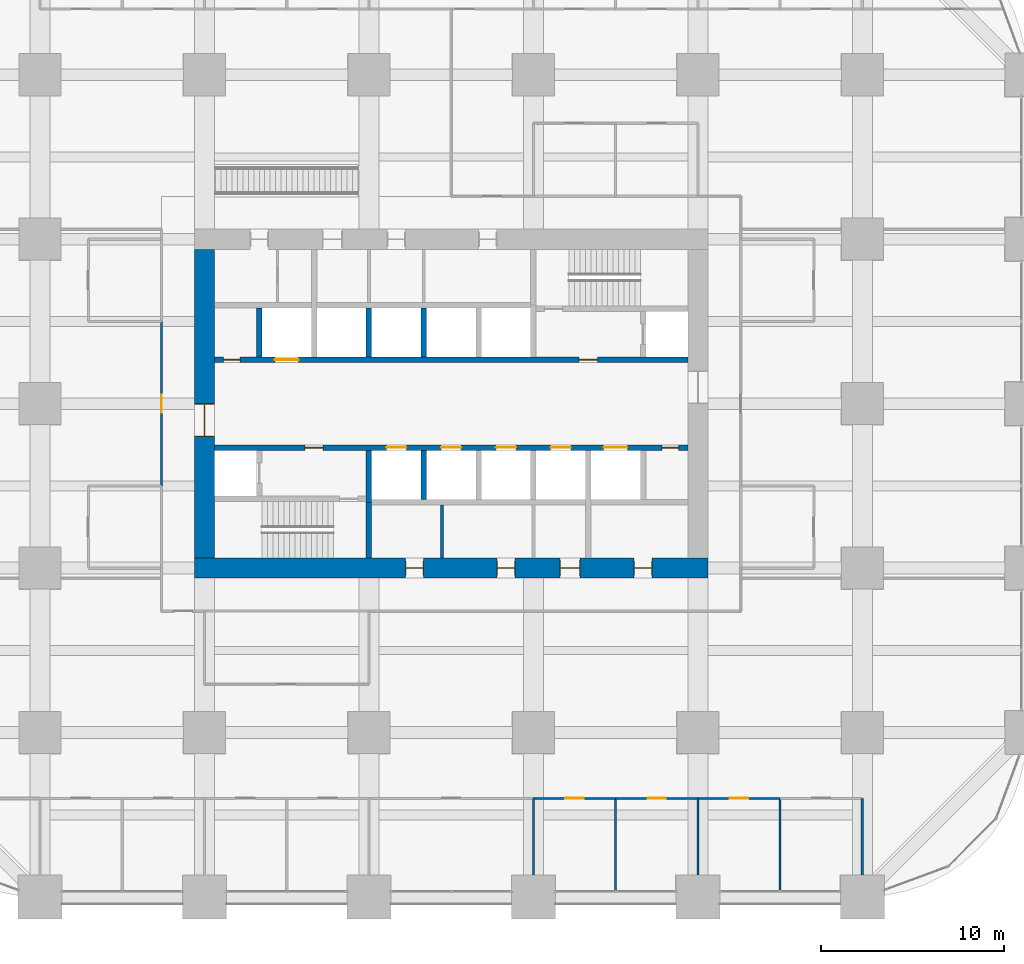
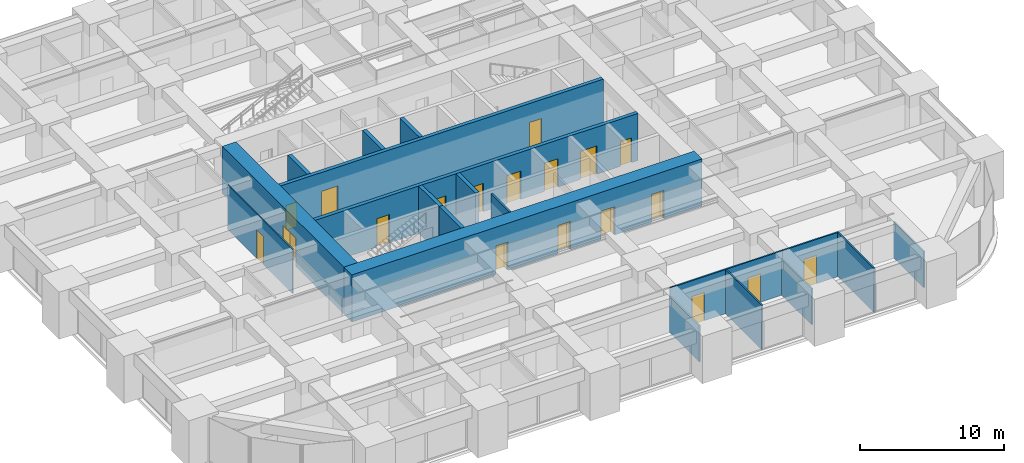
# One storey, part 40 of 45: 20 walls, 19 doors, 19 openings.
"""IFC4 building model written with IfcOpenShell, lengths in metres."""

from ifc_helpers import new_model, si_unit, direction, frame, frame_2d, origin, place, context, subcontext, project, spatial, rectangle, extrude, material, layer, layer_set, type_object, element, fill, save


model = new_model("IFC4")

# Units and contexts
model_context = context("Model", 3, precision=1e-05, world=origin(), true_north=direction((0.0, 1.0)))
body_context = subcontext(model_context, "Body", "Model", "MODEL_VIEW")
ifc_project = project(units=[si_unit("LENGTHUNIT", "METRE"), si_unit("AREAUNIT", "SQUARE_METRE"), si_unit("VOLUMEUNIT", "CUBIC_METRE"), si_unit("PLANEANGLEUNIT", "RADIAN"), si_unit("MASSUNIT", "GRAM", prefix="KILO")], contexts=[model_context])

# Site, building, storey
site_placement = place(None, origin())
site = spatial("IfcSite", under=ifc_project, at=site_placement, CompositionType="ELEMENT")
building_placement = place(site_placement, origin())
building = spatial("IfcBuilding", under=site, at=building_placement, Name="Zorevar Civic Tower", CompositionType="ELEMENT")
storey_placement = place(building_placement, frame((0.0, 0.0, 39.800048828125)))
storey = spatial("IfcBuildingStorey", under=building, at=storey_placement, Name="L09", CompositionType="ELEMENT", Elevation=39.800048828125)

# Wall, openings, doors
ifc_material_1 = material(Name="Concrete C50/60", Category="concrete")
ifc_layer_1 = layer(ifc_material_1, 1.10009765625)
ifc_layer_set_1 = layer_set([ifc_layer_1], Name="Core wall 1100")
wall_type_1 = type_object("IfcWallType", Name="Core wall 1100", PredefinedType="SHEAR", material=ifc_layer_set_1)
wall_1_placement = place(storey_placement, frame((17.449951171875, 18.0, 0.0), z_axis=(0.0, 0.0, 1.0), x_axis=(1.0, 0.0, 0.0)))
wall_1 = element("IfcWall", 1, at=wall_1_placement, inside=storey, type_object=wall_type_1, Name="Core wall S L09", PredefinedType="SHEAR", context=body_context, shape_type="SweptSolid", body=[
    extrude(rectangle(XDim=28.10009765625, YDim=1.10009765625, at=frame_2d((14.050048828125, 0.0))), origin(), (0.0, 0.0, 1.0), 4.0),
])
opening_1_placement = place(wall_1_placement, frame((11.550048828125, 0.0, 0.0)))
opening_1 = element("IfcOpeningElement", 2, at=opening_1_placement, cuts=wall_1, Name="Opening L09.03", PredefinedType="OPENING", context=body_context, shape_type="SweptSolid", body=[
    extrude(rectangle(XDim=1.0, YDim=2.39990234375, at=frame_2d((0.5, 1.199951171875))), frame((0.0, 0.56005859375, 0.0), z_axis=(0.0, -1.0, 0.0), x_axis=(1.0, 0.0, 0.0)), (0.0, 0.0, 1.0), 1.1201171875),
])
opening_2_placement = place(wall_1_placement, frame((16.550048828125, 0.0, 0.0)))
opening_2 = element("IfcOpeningElement", 3, at=opening_2_placement, cuts=wall_1, Name="Opening L09.04", PredefinedType="OPENING", context=body_context, shape_type="SweptSolid", body=[
    extrude(rectangle(XDim=1.0, YDim=2.39990234375, at=frame_2d((0.5, 1.199951171875))), frame((0.0, 0.56005859375, 0.0), z_axis=(0.0, -1.0, 0.0), x_axis=(1.0, 0.0, 0.0)), (0.0, 0.0, 1.0), 1.1201171875),
])
opening_3_placement = place(wall_1_placement, frame((20.0, 0.0, 0.0)))
opening_3 = element("IfcOpeningElement", 4, at=opening_3_placement, cuts=wall_1, Name="Opening L09.05", PredefinedType="OPENING", context=body_context, shape_type="SweptSolid", body=[
    extrude(rectangle(XDim=1.10009765625, YDim=2.39990234375, at=frame_2d((0.550048828125, 1.199951171875))), frame((0.0, 0.56005859375, 0.0), z_axis=(0.0, -1.0, 0.0), x_axis=(1.0, 0.0, 0.0)), (0.0, 0.0, 1.0), 1.1201171875),
])
opening_4_placement = place(wall_1_placement, frame((24.050048828125, 0.0, 0.0)))
opening_4 = element("IfcOpeningElement", 5, at=opening_4_placement, cuts=wall_1, Name="Opening L09.06", PredefinedType="OPENING", context=body_context, shape_type="SweptSolid", body=[
    extrude(rectangle(XDim=1.0, YDim=2.39990234375, at=frame_2d((0.5, 1.199951171875))), frame((0.0, 0.56005859375, 0.0), z_axis=(0.0, -1.0, 0.0), x_axis=(1.0, 0.0, 0.0)), (0.0, 0.0, 1.0), 1.1201171875),
])
ifc_material_2 = material(Name="Timber door set", Category="wood")
door_type_1 = type_object("IfcDoorType", Name="Door D1 1000x2400", OperationType="SINGLE_SWING_LEFT", PredefinedType="DOOR", material=ifc_material_2)
door_1_placement = place(opening_1_placement, origin())
door_1 = element("IfcDoor", 6, at=door_1_placement, inside=storey, type_object=door_type_1, Name="Door L09 02", OperationType="SINGLE_SWING_RIGHT", OverallHeight=2.39990234375, OverallWidth=1.0, PredefinedType="DOOR", context=body_context, shape_type="SweptSolid", body=[
    extrude(rectangle(XDim=1.0, YDim=2.39990234375, at=frame_2d((0.5, 1.199951171875))), frame((0.0, 0.02490234375, 0.0), z_axis=(0.0, -1.0, 0.0), x_axis=(1.0, 0.0, 0.0)), (0.0, 0.0, 1.0), 0.050048828125),
    extrude(rectangle(XDim=0.04, YDim=2.39990234375, at=frame_2d((0.02001953125, 1.199951171875))), frame((0.0, 0.39990234375, 0.0), z_axis=(0.0, -1.0, 0.0), x_axis=(1.0, 0.0, 0.0)), (0.0, 0.0, 1.0), 0.800048828125),
    extrude(rectangle(XDim=0.04, YDim=2.39990234375, at=frame_2d((0.97998046875, 1.199951171875))), frame((0.0, 0.39990234375, 0.0), z_axis=(0.0, -1.0, 0.0), x_axis=(1.0, 0.0, 0.0)), (0.0, 0.0, 1.0), 0.800048828125),
    extrude(rectangle(XDim=1.0, YDim=0.04, at=frame_2d((0.5, 2.3798828125))), frame((0.0, 0.39990234375, 0.0), z_axis=(0.0, -1.0, 0.0), x_axis=(1.0, 0.0, 0.0)), (0.0, 0.0, 1.0), 0.800048828125),
])
fill(opening_1, door_1)
door_2_placement = place(opening_2_placement, origin())
door_2 = element("IfcDoor", 7, at=door_2_placement, inside=storey, type_object=door_type_1, Name="Door L09 03", OperationType="SINGLE_SWING_LEFT", OverallHeight=2.39990234375, OverallWidth=1.0, PredefinedType="DOOR", context=body_context, shape_type="SweptSolid", body=[
    extrude(rectangle(XDim=1.0, YDim=2.39990234375, at=frame_2d((0.5, 1.199951171875))), frame((0.0, 0.02490234375, 0.0), z_axis=(0.0, -1.0, 0.0), x_axis=(1.0, 0.0, 0.0)), (0.0, 0.0, 1.0), 0.050048828125),
    extrude(rectangle(XDim=0.04, YDim=2.39990234375, at=frame_2d((0.02001953125, 1.199951171875))), frame((0.0, 0.39990234375, 0.0), z_axis=(0.0, -1.0, 0.0), x_axis=(1.0, 0.0, 0.0)), (0.0, 0.0, 1.0), 0.800048828125),
    extrude(rectangle(XDim=0.04, YDim=2.39990234375, at=frame_2d((0.97998046875, 1.199951171875))), frame((0.0, 0.39990234375, 0.0), z_axis=(0.0, -1.0, 0.0), x_axis=(1.0, 0.0, 0.0)), (0.0, 0.0, 1.0), 0.800048828125),
    extrude(rectangle(XDim=1.0, YDim=0.04, at=frame_2d((0.5, 2.3798828125))), frame((0.0, 0.39990234375, 0.0), z_axis=(0.0, -1.0, 0.0), x_axis=(1.0, 0.0, 0.0)), (0.0, 0.0, 1.0), 0.800048828125),
])
fill(opening_2, door_2)
door_3_placement = place(opening_4_placement, origin())
door_3 = element("IfcDoor", 8, at=door_3_placement, inside=storey, type_object=door_type_1, Name="Door L09 05", OperationType="SINGLE_SWING_LEFT", OverallHeight=2.39990234375, OverallWidth=1.0, PredefinedType="DOOR", context=body_context, shape_type="SweptSolid", body=[
    extrude(rectangle(XDim=1.0, YDim=2.39990234375, at=frame_2d((0.5, 1.199951171875))), frame((0.0, 0.02490234375, 0.0), z_axis=(0.0, -1.0, 0.0), x_axis=(1.0, 0.0, 0.0)), (0.0, 0.0, 1.0), 0.050048828125),
    extrude(rectangle(XDim=0.04, YDim=2.39990234375, at=frame_2d((0.02001953125, 1.199951171875))), frame((0.0, 0.39990234375, 0.0), z_axis=(0.0, -1.0, 0.0), x_axis=(1.0, 0.0, 0.0)), (0.0, 0.0, 1.0), 0.800048828125),
    extrude(rectangle(XDim=0.04, YDim=2.39990234375, at=frame_2d((0.97998046875, 1.199951171875))), frame((0.0, 0.39990234375, 0.0), z_axis=(0.0, -1.0, 0.0), x_axis=(1.0, 0.0, 0.0)), (0.0, 0.0, 1.0), 0.800048828125),
    extrude(rectangle(XDim=1.0, YDim=0.04, at=frame_2d((0.5, 2.3798828125))), frame((0.0, 0.39990234375, 0.0), z_axis=(0.0, -1.0, 0.0), x_axis=(1.0, 0.0, 0.0)), (0.0, 0.0, 1.0), 0.800048828125),
])
fill(opening_4, door_3)
ifc_material_3 = material(Name="Timber door set", Category="wood")
door_type_2 = type_object("IfcDoorType", Name="Door D5 1100x2400", OperationType="SINGLE_SWING_LEFT", PredefinedType="DOOR", material=ifc_material_3)
door_4_placement = place(opening_3_placement, origin())
door_4 = element("IfcDoor", 9, at=door_4_placement, inside=storey, type_object=door_type_2, Name="Door L09 04", OperationType="SINGLE_SWING_LEFT", OverallHeight=2.39990234375, OverallWidth=1.10009765625, PredefinedType="DOOR", context=body_context, shape_type="SweptSolid", body=[
    extrude(rectangle(XDim=1.10009765625, YDim=2.39990234375, at=frame_2d((0.550048828125, 1.199951171875))), frame((0.0, 0.02490234375, 0.0), z_axis=(0.0, -1.0, 0.0), x_axis=(1.0, 0.0, 0.0)), (0.0, 0.0, 1.0), 0.050048828125),
    extrude(rectangle(XDim=0.04, YDim=2.39990234375, at=frame_2d((0.02001953125, 1.199951171875))), frame((0.0, 0.43994140625, 0.0), z_axis=(0.0, -1.0, 0.0), x_axis=(1.0, 0.0, 0.0)), (0.0, 0.0, 1.0), 0.880126953125),
    extrude(rectangle(XDim=0.04, YDim=2.39990234375, at=frame_2d((1.080078125, 1.199951171875))), frame((0.0, 0.43994140625, 0.0), z_axis=(0.0, -1.0, 0.0), x_axis=(1.0, 0.0, 0.0)), (0.0, 0.0, 1.0), 0.880126953125),
    extrude(rectangle(XDim=1.10009765625, YDim=0.04, at=frame_2d((0.550048828125, 2.3798828125))), frame((0.0, 0.43994140625, 0.0), z_axis=(0.0, -1.0, 0.0), x_axis=(1.0, 0.0, 0.0)), (0.0, 0.0, 1.0), 0.880126953125),
])
fill(opening_3, door_4)

# Wall, opening, door
wall_2_placement = place(storey_placement, frame((18.0, 35.449951171875, 0.0), z_axis=(0.0, 0.0, 1.0), x_axis=(0.0, -1.0, 0.0)))
wall_2 = element("IfcWall", 10, at=wall_2_placement, inside=storey, type_object=wall_type_1, Name="Core wall W L09", PredefinedType="SHEAR", context=body_context, shape_type="SweptSolid", body=[
    extrude(rectangle(XDim=16.89990234375, YDim=1.10009765625, at=frame_2d((8.449951171875, 0.0))), origin(), (0.0, 0.0, 1.0), 4.0),
])
opening_5_placement = place(wall_2_placement, frame((8.449951171875, 0.0, 0.0)))
opening_5 = element("IfcOpeningElement", 11, at=opening_5_placement, cuts=wall_2, Name="Opening L09.01", PredefinedType="OPENING", context=body_context, shape_type="SweptSolid", body=[
    extrude(rectangle(XDim=1.800048828125, YDim=2.39990234375, at=frame_2d((0.89990234375, 1.199951171875))), frame((0.0, 0.56005859375, 0.0), z_axis=(0.0, -1.0, 0.0), x_axis=(1.0, 0.0, 0.0)), (0.0, 0.0, 1.0), 1.1201171875),
])
ifc_material_4 = material(Name="Steel door set", Category="steel")
door_type_3 = type_object("IfcDoorType", Name="Fire door FD2 1800x2400", OperationType="DOUBLE_DOOR_DOUBLE_SWING", PredefinedType="DOOR", material=ifc_material_4)
door_5_placement = place(opening_5_placement, origin())
door_5 = element("IfcDoor", 12, at=door_5_placement, inside=storey, type_object=door_type_3, Name="Door L09 00", OperationType="DOUBLE_DOOR_DOUBLE_SWING", OverallHeight=2.39990234375, OverallWidth=1.800048828125, PredefinedType="DOOR", context=body_context, shape_type="SweptSolid", body=[
    extrude(rectangle(XDim=1.800048828125, YDim=2.39990234375, at=frame_2d((0.89990234375, 1.199951171875))), frame((0.0, 0.030029296875, 0.0), z_axis=(0.0, -1.0, 0.0), x_axis=(1.0, 0.0, 0.0)), (0.0, 0.0, 1.0), 0.06005859375),
    extrude(rectangle(XDim=0.04, YDim=2.39990234375, at=frame_2d((0.02001953125, 1.199951171875))), frame((0.0, 0.5498046875, 0.0), z_axis=(0.0, -1.0, 0.0), x_axis=(1.0, 0.0, 0.0)), (0.0, 0.0, 1.0), 1.099609375),
    extrude(rectangle(XDim=0.04, YDim=2.39990234375, at=frame_2d((1.780029296875, 1.199951171875))), frame((0.0, 0.5498046875, 0.0), z_axis=(0.0, -1.0, 0.0), x_axis=(1.0, 0.0, 0.0)), (0.0, 0.0, 1.0), 1.099609375),
    extrude(rectangle(XDim=1.800048828125, YDim=0.04, at=frame_2d((0.89990234375, 2.3798828125))), frame((0.0, 0.5498046875, 0.0), z_axis=(0.0, -1.0, 0.0), x_axis=(1.0, 0.0, 0.0)), (0.0, 0.0, 1.0), 1.099609375),
])
fill(opening_5, door_5)

ifc_material_5 = material(Name="Laminated glass in black aluminium frame", Category="aluminium")
ifc_layer_2 = layer(ifc_material_5, 0.10009765625)
ifc_layer_set_2 = layer_set([ifc_layer_2], Name="Glazed partition 100")
wall_type_2 = type_object("IfcWallType", Name="Glazed partition 100", PredefinedType="PARTITIONING", material=ifc_layer_set_2)
wall_3_placement = place(storey_placement, frame((15.64990234375, 22.5, 0.0), z_axis=(0.0, 0.0, 1.0), x_axis=(0.0, 1.0, 0.0)))
wall_3 = element("IfcWall", 13, at=wall_3_placement, inside=storey, type_object=wall_type_2, Name="Glazed partition 100 L09", PredefinedType="PARTITIONING", context=body_context, shape_type="SweptSolid", body=[
    extrude(rectangle(XDim=9.0, YDim=0.10009765625, at=frame_2d((4.5, 0.0))), origin(), (0.0, 0.0, 1.0), 3.75),
])
opening_6_placement = place(wall_3_placement, frame((4.0, 0.0, 0.0)))
opening_6 = element("IfcOpeningElement", 14, at=opening_6_placement, cuts=wall_3, Name="Opening L09.44", PredefinedType="OPENING", context=body_context, shape_type="SweptSolid", body=[
    extrude(rectangle(XDim=1.0, YDim=2.39990234375, at=frame_2d((0.5, 1.199951171875))), frame((0.0, 0.06005859375, 0.0), z_axis=(0.0, -1.0, 0.0), x_axis=(1.0, 0.0, 0.0)), (0.0, 0.0, 1.0), 0.1201171875),
])
ifc_material_6 = material(Name="Timber door set", Category="wood")
door_type_4 = type_object("IfcDoorType", Name="Glazed door GD1 1000x2400", OperationType="SINGLE_SWING_LEFT", PredefinedType="DOOR", material=ifc_material_6)
door_6_placement = place(opening_6_placement, origin())
door_6 = element("IfcDoor", 15, at=door_6_placement, inside=storey, type_object=door_type_4, Name="Door L09 D1", OperationType="SINGLE_SWING_RIGHT", OverallHeight=2.39990234375, OverallWidth=1.0, PredefinedType="DOOR", context=body_context, shape_type="SweptSolid", body=[
    extrude(rectangle(XDim=1.0, YDim=2.39990234375, at=frame_2d((0.5, 1.199951171875))), frame((0.0, 0.02001953125, 0.0), z_axis=(0.0, -1.0, 0.0), x_axis=(1.0, 0.0, 0.0)), (0.0, 0.0, 1.0), 0.0400390625),
])
fill(opening_6, door_6)

# Wall
ifc_material_7 = material(Name="Concrete C40/50", Category="concrete")
ifc_layer_3 = layer(ifc_material_7, 0.300048828125)
ifc_layer_set_3 = layer_set([ifc_layer_3], Name="Inner core wall 300")
wall_type_3 = type_object("IfcWallType", Name="Inner core wall 300", PredefinedType="SHEAR", material=ifc_layer_set_3)
wall_4_placement = place(storey_placement, frame((27.0, 18.550048828125, 0.0), z_axis=(0.0, 0.0, 1.0), x_axis=(0.0, 1.0, 0.0)))
element("IfcWall", 16, at=wall_4_placement, inside=storey, type_object=wall_type_3, Name="Inner core wall S01 L09", PredefinedType="SHEAR", context=body_context, shape_type="SweptSolid", body=[
    extrude(rectangle(XDim=3.050048828125, YDim=0.300048828125, at=frame_2d((1.52490234375, 0.0))), origin(), (0.0, 0.0, 1.0), 4.0),
])

# Wall, openings, doors
wall_5_placement = place(storey_placement, frame((18.550048828125, 24.60009765625, 0.0), z_axis=(0.0, 0.0, 1.0), x_axis=(1.0, 0.0, 0.0)))
wall_5 = element("IfcWall", 17, at=wall_5_placement, inside=storey, type_object=wall_type_3, Name="Inner core wall S03 L09", PredefinedType="SHEAR", context=body_context, shape_type="SweptSolid", body=[
    extrude(rectangle(XDim=25.89990234375, YDim=0.300048828125, at=frame_2d((12.949951171875, 0.0))), origin(), (0.0, 0.0, 1.0), 4.0),
])
opening_7_placement = place(wall_5_placement, frame((4.949951171875, 0.0, 0.0)))
opening_7 = element("IfcOpeningElement", 18, at=opening_7_placement, cuts=wall_5, Name="Opening L09.13", PredefinedType="OPENING", context=body_context, shape_type="SweptSolid", body=[
    extrude(rectangle(XDim=1.0, YDim=2.39990234375, at=frame_2d((0.5, 1.199951171875))), frame((0.0, 0.159912109375, 0.0), z_axis=(0.0, -1.0, 0.0), x_axis=(1.0, 0.0, 0.0)), (0.0, 0.0, 1.0), 0.320068359375),
])
opening_8_placement = place(wall_5_placement, frame((24.5, 0.0, 0.0)))
opening_8 = element("IfcOpeningElement", 19, at=opening_8_placement, cuts=wall_5, Name="Opening L09.15", PredefinedType="OPENING", context=body_context, shape_type="SweptSolid", body=[
    extrude(rectangle(XDim=0.89990234375, YDim=2.10009765625, at=frame_2d((0.449951171875, 1.050048828125))), frame((0.0, 0.159912109375, 0.0), z_axis=(0.0, -1.0, 0.0), x_axis=(1.0, 0.0, 0.0)), (0.0, 0.0, 1.0), 0.320068359375),
])
opening_9_placement = place(wall_5_placement, frame((9.39990234375, 0.0, 0.0)))
opening_9 = element("IfcOpeningElement", 20, at=opening_9_placement, cuts=wall_5, Name="Opening L09.LP1", PredefinedType="OPENING", context=body_context, shape_type="SweptSolid", body=[
    extrude(rectangle(XDim=1.10009765625, YDim=2.39990234375, at=frame_2d((0.550048828125, 1.199951171875))), frame((0.0, 0.159912109375, 0.0), z_axis=(0.0, -1.0, 0.0), x_axis=(1.0, 0.0, 0.0)), (0.0, 0.0, 1.0), 0.320068359375),
])
opening_10_placement = place(wall_5_placement, frame((12.39990234375, 0.0, 0.0)))
opening_10 = element("IfcOpeningElement", 21, at=opening_10_placement, cuts=wall_5, Name="Opening L09.LP2", PredefinedType="OPENING", context=body_context, shape_type="SweptSolid", body=[
    extrude(rectangle(XDim=1.10009765625, YDim=2.39990234375, at=frame_2d((0.550048828125, 1.199951171875))), frame((0.0, 0.159912109375, 0.0), z_axis=(0.0, -1.0, 0.0), x_axis=(1.0, 0.0, 0.0)), (0.0, 0.0, 1.0), 0.320068359375),
])
opening_11_placement = place(wall_5_placement, frame((15.39990234375, 0.0, 0.0)))
opening_11 = element("IfcOpeningElement", 22, at=opening_11_placement, cuts=wall_5, Name="Opening L09.LP3", PredefinedType="OPENING", context=body_context, shape_type="SweptSolid", body=[
    extrude(rectangle(XDim=1.10009765625, YDim=2.39990234375, at=frame_2d((0.550048828125, 1.199951171875))), frame((0.0, 0.159912109375, 0.0), z_axis=(0.0, -1.0, 0.0), x_axis=(1.0, 0.0, 0.0)), (0.0, 0.0, 1.0), 0.320068359375),
])
opening_12_placement = place(wall_5_placement, frame((18.39990234375, 0.0, 0.0)))
opening_12 = element("IfcOpeningElement", 23, at=opening_12_placement, cuts=wall_5, Name="Opening L09.LP4", PredefinedType="OPENING", context=body_context, shape_type="SweptSolid", body=[
    extrude(rectangle(XDim=1.10009765625, YDim=2.39990234375, at=frame_2d((0.550048828125, 1.199951171875))), frame((0.0, 0.159912109375, 0.0), z_axis=(0.0, -1.0, 0.0), x_axis=(1.0, 0.0, 0.0)), (0.0, 0.0, 1.0), 0.320068359375),
])
opening_13_placement = place(wall_5_placement, frame((21.300048828125, 0.0, 0.0)))
opening_13 = element("IfcOpeningElement", 24, at=opening_13_placement, cuts=wall_5, Name="Opening L09.SL1", PredefinedType="OPENING", context=body_context, shape_type="SweptSolid", body=[
    extrude(rectangle(XDim=1.300048828125, YDim=2.39990234375, at=frame_2d((0.64990234375, 1.199951171875))), frame((0.0, 0.159912109375, 0.0), z_axis=(0.0, -1.0, 0.0), x_axis=(1.0, 0.0, 0.0)), (0.0, 0.0, 1.0), 0.320068359375),
])
ifc_material_8 = material(Name="Steel door set", Category="steel")
door_type_5 = type_object("IfcDoorType", Name="Fire door FD1 1000x2400", OperationType="SINGLE_SWING_LEFT", PredefinedType="DOOR", material=ifc_material_8)
door_7_placement = place(opening_7_placement, origin())
door_7 = element("IfcDoor", 25, at=door_7_placement, inside=storey, type_object=door_type_5, Name="Door L09 12", OperationType="SINGLE_SWING_RIGHT", OverallHeight=2.39990234375, OverallWidth=1.0, PredefinedType="DOOR", context=body_context, shape_type="SweptSolid", body=[
    extrude(rectangle(XDim=1.0, YDim=2.39990234375, at=frame_2d((0.5, 1.199951171875))), frame((0.0, 0.030029296875, 0.0), z_axis=(0.0, -1.0, 0.0), x_axis=(1.0, 0.0, 0.0)), (0.0, 0.0, 1.0), 0.06005859375),
])
fill(opening_7, door_7)
ifc_material_9 = material(Name="Steel door set", Category="steel")
door_type_6 = type_object("IfcDoorType", Name="Landing door LD1 1100x2400", OperationType="DOUBLE_DOOR_SLIDING", PredefinedType="DOOR", material=ifc_material_9)
door_8_placement = place(opening_9_placement, origin())
door_8 = element("IfcDoor", 26, at=door_8_placement, inside=storey, type_object=door_type_6, Name="Landing door LP1 L09", OperationType="DOUBLE_DOOR_SLIDING", OverallHeight=2.39990234375, OverallWidth=1.10009765625, PredefinedType="DOOR", context=body_context, shape_type="SweptSolid", body=[
    extrude(rectangle(XDim=1.10009765625, YDim=2.39990234375, at=frame_2d((0.550048828125, 1.199951171875))), frame((0.0, 0.02001953125, 0.0), z_axis=(0.0, -1.0, 0.0), x_axis=(1.0, 0.0, 0.0)), (0.0, 0.0, 1.0), 0.0400390625),
])
fill(opening_9, door_8)
door_9_placement = place(opening_10_placement, origin())
door_9 = element("IfcDoor", 27, at=door_9_placement, inside=storey, type_object=door_type_6, Name="Landing door LP2 L09", OperationType="DOUBLE_DOOR_SLIDING", OverallHeight=2.39990234375, OverallWidth=1.10009765625, PredefinedType="DOOR", context=body_context, shape_type="SweptSolid", body=[
    extrude(rectangle(XDim=1.10009765625, YDim=2.39990234375, at=frame_2d((0.550048828125, 1.199951171875))), frame((0.0, 0.02001953125, 0.0), z_axis=(0.0, -1.0, 0.0), x_axis=(1.0, 0.0, 0.0)), (0.0, 0.0, 1.0), 0.0400390625),
])
fill(opening_10, door_9)
door_10_placement = place(opening_11_placement, origin())
door_10 = element("IfcDoor", 28, at=door_10_placement, inside=storey, type_object=door_type_6, Name="Landing door LP3 L09", OperationType="DOUBLE_DOOR_SLIDING", OverallHeight=2.39990234375, OverallWidth=1.10009765625, PredefinedType="DOOR", context=body_context, shape_type="SweptSolid", body=[
    extrude(rectangle(XDim=1.10009765625, YDim=2.39990234375, at=frame_2d((0.550048828125, 1.199951171875))), frame((0.0, 0.02001953125, 0.0), z_axis=(0.0, -1.0, 0.0), x_axis=(1.0, 0.0, 0.0)), (0.0, 0.0, 1.0), 0.0400390625),
])
fill(opening_11, door_10)
door_11_placement = place(opening_12_placement, origin())
door_11 = element("IfcDoor", 29, at=door_11_placement, inside=storey, type_object=door_type_6, Name="Landing door LP4 L09", OperationType="DOUBLE_DOOR_SLIDING", OverallHeight=2.39990234375, OverallWidth=1.10009765625, PredefinedType="DOOR", context=body_context, shape_type="SweptSolid", body=[
    extrude(rectangle(XDim=1.10009765625, YDim=2.39990234375, at=frame_2d((0.550048828125, 1.199951171875))), frame((0.0, 0.02001953125, 0.0), z_axis=(0.0, -1.0, 0.0), x_axis=(1.0, 0.0, 0.0)), (0.0, 0.0, 1.0), 0.0400390625),
])
fill(opening_12, door_11)
ifc_material_10 = material(Name="Steel door set", Category="steel")
door_type_7 = type_object("IfcDoorType", Name="Landing door LD2 1300x2400", OperationType="DOUBLE_DOOR_SLIDING", PredefinedType="DOOR", material=ifc_material_10)
door_12_placement = place(opening_13_placement, origin())
door_12 = element("IfcDoor", 30, at=door_12_placement, inside=storey, type_object=door_type_7, Name="Landing door SL1 L09", OperationType="DOUBLE_DOOR_SLIDING", OverallHeight=2.39990234375, OverallWidth=1.300048828125, PredefinedType="DOOR", context=body_context, shape_type="SweptSolid", body=[
    extrude(rectangle(XDim=1.300048828125, YDim=2.39990234375, at=frame_2d((0.64990234375, 1.199951171875))), frame((0.0, 0.02001953125, 0.0), z_axis=(0.0, -1.0, 0.0), x_axis=(1.0, 0.0, 0.0)), (0.0, 0.0, 1.0), 0.0400390625),
])
fill(opening_13, door_12)
ifc_material_11 = material(Name="Steel door set", Category="steel")
door_type_8 = type_object("IfcDoorType", Name="Riser door RD1 900x2100", OperationType="SINGLE_SWING_LEFT", PredefinedType="DOOR", material=ifc_material_11)
door_13_placement = place(opening_8_placement, origin())
door_13 = element("IfcDoor", 31, at=door_13_placement, inside=storey, type_object=door_type_8, Name="Door L09 14", OperationType="SINGLE_SWING_RIGHT", OverallHeight=2.10009765625, OverallWidth=0.89990234375, PredefinedType="DOOR", context=body_context, shape_type="SweptSolid", body=[
    extrude(rectangle(XDim=0.89990234375, YDim=2.10009765625, at=frame_2d((0.449951171875, 1.050048828125))), frame((0.0, 0.030029296875, 0.0), z_axis=(0.0, -1.0, 0.0), x_axis=(1.0, 0.0, 0.0)), (0.0, 0.0, 1.0), 0.06005859375),
])
fill(opening_8, door_13)

wall_6_placement = place(storey_placement, frame((18.550048828125, 29.39990234375, 0.0), z_axis=(0.0, 0.0, 1.0), x_axis=(1.0, 0.0, 0.0)))
wall_6 = element("IfcWall", 32, at=wall_6_placement, inside=storey, type_object=wall_type_3, Name="Inner core wall N03 L09", PredefinedType="SHEAR", context=body_context, shape_type="SweptSolid", body=[
    extrude(rectangle(XDim=25.89990234375, YDim=0.300048828125, at=frame_2d((12.949951171875, 0.0))), origin(), (0.0, 0.0, 1.0), 4.0),
])
opening_14_placement = place(wall_6_placement, frame((19.949951171875, 0.0, 0.0)))
opening_14 = element("IfcOpeningElement", 33, at=opening_14_placement, cuts=wall_6, Name="Opening L09.14", PredefinedType="OPENING", context=body_context, shape_type="SweptSolid", body=[
    extrude(rectangle(XDim=1.0, YDim=2.39990234375, at=frame_2d((0.5, 1.199951171875))), frame((0.0, 0.159912109375, 0.0), z_axis=(0.0, -1.0, 0.0), x_axis=(1.0, 0.0, 0.0)), (0.0, 0.0, 1.0), 0.320068359375),
])
opening_15_placement = place(wall_6_placement, frame((0.5, 0.0, 0.0)))
opening_15 = element("IfcOpeningElement", 34, at=opening_15_placement, cuts=wall_6, Name="Opening L09.16", PredefinedType="OPENING", context=body_context, shape_type="SweptSolid", body=[
    extrude(rectangle(XDim=0.89990234375, YDim=2.10009765625, at=frame_2d((0.449951171875, 1.050048828125))), frame((0.0, 0.159912109375, 0.0), z_axis=(0.0, -1.0, 0.0), x_axis=(1.0, 0.0, 0.0)), (0.0, 0.0, 1.0), 0.320068359375),
])
opening_16_placement = place(wall_6_placement, frame((3.300048828125, 0.0, 0.0)))
opening_16 = element("IfcOpeningElement", 35, at=opening_16_placement, cuts=wall_6, Name="Opening L09.SL2", PredefinedType="OPENING", context=body_context, shape_type="SweptSolid", body=[
    extrude(rectangle(XDim=1.300048828125, YDim=2.39990234375, at=frame_2d((0.64990234375, 1.199951171875))), frame((0.0, 0.159912109375, 0.0), z_axis=(0.0, -1.0, 0.0), x_axis=(1.0, 0.0, 0.0)), (0.0, 0.0, 1.0), 0.320068359375),
])
door_14_placement = place(opening_14_placement, origin())
door_14 = element("IfcDoor", 36, at=door_14_placement, inside=storey, type_object=door_type_5, Name="Door L09 13", OperationType="SINGLE_SWING_RIGHT", OverallHeight=2.39990234375, OverallWidth=1.0, PredefinedType="DOOR", context=body_context, shape_type="SweptSolid", body=[
    extrude(rectangle(XDim=1.0, YDim=2.39990234375, at=frame_2d((0.5, 1.199951171875))), frame((0.0, 0.030029296875, 0.0), z_axis=(0.0, -1.0, 0.0), x_axis=(1.0, 0.0, 0.0)), (0.0, 0.0, 1.0), 0.06005859375),
])
fill(opening_14, door_14)
door_15_placement = place(opening_16_placement, origin())
door_15 = element("IfcDoor", 37, at=door_15_placement, inside=storey, type_object=door_type_7, Name="Landing door SL2 L09", OperationType="DOUBLE_DOOR_SLIDING", OverallHeight=2.39990234375, OverallWidth=1.300048828125, PredefinedType="DOOR", context=body_context, shape_type="SweptSolid", body=[
    extrude(rectangle(XDim=1.300048828125, YDim=2.39990234375, at=frame_2d((0.64990234375, 1.199951171875))), frame((0.0, 0.02001953125, 0.0), z_axis=(0.0, -1.0, 0.0), x_axis=(1.0, 0.0, 0.0)), (0.0, 0.0, 1.0), 0.0400390625),
])
fill(opening_16, door_15)
door_16_placement = place(opening_15_placement, origin())
door_16 = element("IfcDoor", 38, at=door_16_placement, inside=storey, type_object=door_type_8, Name="Door L09 15", OperationType="SINGLE_SWING_RIGHT", OverallHeight=2.10009765625, OverallWidth=0.89990234375, PredefinedType="DOOR", context=body_context, shape_type="SweptSolid", body=[
    extrude(rectangle(XDim=0.89990234375, YDim=2.10009765625, at=frame_2d((0.449951171875, 1.050048828125))), frame((0.0, 0.030029296875, 0.0), z_axis=(0.0, -1.0, 0.0), x_axis=(1.0, 0.0, 0.0)), (0.0, 0.0, 1.0), 0.06005859375),
])
fill(opening_15, door_16)

# Walls
for number, where, z_axis, x_axis, name in (
    (39, (30.0, 21.75, 0.0), (0.0, 0.0, 1.0), (0.0, 1.0, 0.0), "Inner core wall S05 L09"),
    (40, (30.0, 29.550048828125, 0.0), (0.0, 0.0, 1.0), (0.0, 1.0, 0.0), "Inner core wall N06 L09"),
    (41, (27.0, 29.550048828125, 0.0), (0.0, 0.0, 1.0), (0.0, 1.0, 0.0), "Inner core wall N07 L09"),
    (42, (21.0, 29.550048828125, 0.0), (0.0, 0.0, 1.0), (0.0, 1.0, 0.0), "Inner core wall N09 L09"),
):
    element("IfcWall", number, at=place(storey_placement, frame(where, z_axis=z_axis, x_axis=x_axis)), inside=storey, type_object=wall_type_3, Name=name, PredefinedType="SHEAR", context=body_context, shape_type="SweptSolid", body=[
        extrude(rectangle(XDim=2.699951171875, YDim=0.300048828125, at=frame_2d((1.35009765625, 0.0))), origin(), (0.0, 0.0, 1.0), 4.0),
    ])
wall_7_placement = place(storey_placement, frame((27.0, 21.60009765625, 0.0), z_axis=(0.0, 0.0, 1.0), x_axis=(0.0, 1.0, 0.0)))
element("IfcWall", 43, at=wall_7_placement, inside=storey, type_object=wall_type_3, Name="Inner core wall S10 L09", PredefinedType="SHEAR", context=body_context, shape_type="SweptSolid", body=[
    extrude(rectangle(XDim=2.849853515625, YDim=0.300048828125, at=frame_2d((1.4248046875, 0.0))), origin(), (0.0, 0.0, 1.0), 4.0),
])

# Wall, opening, door
ifc_material_12 = material(Name="Gypsum board on steel studs", Category="steel")
ifc_layer_4 = layer(ifc_material_12, 0.1201171875)
ifc_layer_set_4 = layer_set([ifc_layer_4], Name="Partition 120")
wall_type_4 = type_object("IfcWallType", Name="Partition 120", PredefinedType="PARTITIONING", material=ifc_layer_set_4)
wall_8_placement = place(storey_placement, frame((36.0, 5.39990234375, 0.0), z_axis=(0.0, 0.0, 1.0), x_axis=(1.0, 0.0, 0.0)))
wall_8 = element("IfcWall", 44, at=wall_8_placement, inside=storey, type_object=wall_type_4, Name="Partition 120 L09", PredefinedType="PARTITIONING", context=body_context, shape_type="SweptSolid", body=[
    extrude(rectangle(XDim=4.5, YDim=0.1201171875, at=frame_2d((2.25, 0.0))), origin(), (0.0, 0.0, 1.0), 3.75),
])
opening_17_placement = place(wall_8_placement, frame((1.75, 0.0, 0.0)))
opening_17 = element("IfcOpeningElement", 45, at=opening_17_placement, cuts=wall_8, Name="Opening L09.22", PredefinedType="OPENING", context=body_context, shape_type="SweptSolid", body=[
    extrude(rectangle(XDim=1.0, YDim=2.39990234375, at=frame_2d((0.5, 1.199951171875))), frame((0.0, 0.070068359375, 0.0), z_axis=(0.0, -1.0, 0.0), x_axis=(1.0, 0.0, 0.0)), (0.0, 0.0, 1.0), 0.14013671875),
])
door_17_placement = place(opening_17_placement, origin())
door_17 = element("IfcDoor", 46, at=door_17_placement, inside=storey, type_object=door_type_1, Name="Door L09 D1", OperationType="SINGLE_SWING_LEFT", OverallHeight=2.39990234375, OverallWidth=1.0, PredefinedType="DOOR", context=body_context, shape_type="SweptSolid", body=[
    extrude(rectangle(XDim=1.0, YDim=2.39990234375, at=frame_2d((0.5, 1.199951171875))), frame((0.0, 0.02490234375, 0.0), z_axis=(0.0, -1.0, 0.0), x_axis=(1.0, 0.0, 0.0)), (0.0, 0.0, 1.0), 0.050048828125),
])
fill(opening_17, door_17)

wall_9_placement = place(storey_placement, frame((40.5, 5.39990234375, 0.0), z_axis=(0.0, 0.0, 1.0), x_axis=(1.0, 0.0, 0.0)))
wall_9 = element("IfcWall", 47, at=wall_9_placement, inside=storey, type_object=wall_type_4, Name="Partition 120 L09", PredefinedType="PARTITIONING", context=body_context, shape_type="SweptSolid", body=[
    extrude(rectangle(XDim=4.5, YDim=0.1201171875, at=frame_2d((2.25, 0.0))), origin(), (0.0, 0.0, 1.0), 3.75),
])
opening_18_placement = place(wall_9_placement, frame((1.75, 0.0, 0.0)))
opening_18 = element("IfcOpeningElement", 48, at=opening_18_placement, cuts=wall_9, Name="Opening L09.23", PredefinedType="OPENING", context=body_context, shape_type="SweptSolid", body=[
    extrude(rectangle(XDim=1.0, YDim=2.39990234375, at=frame_2d((0.5, 1.199951171875))), frame((0.0, 0.070068359375, 0.0), z_axis=(0.0, -1.0, 0.0), x_axis=(1.0, 0.0, 0.0)), (0.0, 0.0, 1.0), 0.14013671875),
])
door_18_placement = place(opening_18_placement, origin())
door_18 = element("IfcDoor", 49, at=door_18_placement, inside=storey, type_object=door_type_1, Name="Door L09 D1", OperationType="SINGLE_SWING_LEFT", OverallHeight=2.39990234375, OverallWidth=1.0, PredefinedType="DOOR", context=body_context, shape_type="SweptSolid", body=[
    extrude(rectangle(XDim=1.0, YDim=2.39990234375, at=frame_2d((0.5, 1.199951171875))), frame((0.0, 0.02490234375, 0.0), z_axis=(0.0, -1.0, 0.0), x_axis=(1.0, 0.0, 0.0)), (0.0, 0.0, 1.0), 0.050048828125),
])
fill(opening_18, door_18)

wall_10_placement = place(storey_placement, frame((45.0, 5.39990234375, 0.0), z_axis=(0.0, 0.0, 1.0), x_axis=(1.0, 0.0, 0.0)))
wall_10 = element("IfcWall", 50, at=wall_10_placement, inside=storey, type_object=wall_type_4, Name="Partition 120 L09", PredefinedType="PARTITIONING", context=body_context, shape_type="SweptSolid", body=[
    extrude(rectangle(XDim=4.5, YDim=0.1201171875, at=frame_2d((2.25, 0.0))), origin(), (0.0, 0.0, 1.0), 3.75),
])
opening_19_placement = place(wall_10_placement, frame((1.75, 0.0, 0.0)))
opening_19 = element("IfcOpeningElement", 51, at=opening_19_placement, cuts=wall_10, Name="Opening L09.24", PredefinedType="OPENING", context=body_context, shape_type="SweptSolid", body=[
    extrude(rectangle(XDim=1.0, YDim=2.39990234375, at=frame_2d((0.5, 1.199951171875))), frame((0.0, 0.070068359375, 0.0), z_axis=(0.0, -1.0, 0.0), x_axis=(1.0, 0.0, 0.0)), (0.0, 0.0, 1.0), 0.14013671875),
])
door_19_placement = place(opening_19_placement, origin())
door_19 = element("IfcDoor", 52, at=door_19_placement, inside=storey, type_object=door_type_1, Name="Door L09 D1", OperationType="SINGLE_SWING_LEFT", OverallHeight=2.39990234375, OverallWidth=1.0, PredefinedType="DOOR", context=body_context, shape_type="SweptSolid", body=[
    extrude(rectangle(XDim=1.0, YDim=2.39990234375, at=frame_2d((0.5, 1.199951171875))), frame((0.0, 0.02490234375, 0.0), z_axis=(0.0, -1.0, 0.0), x_axis=(1.0, 0.0, 0.0)), (0.0, 0.0, 1.0), 0.050048828125),
])
fill(opening_19, door_19)

# Walls
wall_11_placement = place(storey_placement, frame((36.0, 1.199951171875, 0.0), z_axis=(0.0, 0.0, 1.0), x_axis=(0.0, 1.0, 0.0)))
element("IfcWall", 53, at=wall_11_placement, inside=storey, type_object=wall_type_4, Name="Partition 120 L09", PredefinedType="PARTITIONING", context=body_context, shape_type="SweptSolid", body=[
    extrude(rectangle(XDim=4.199951171875, YDim=0.1201171875, at=frame_2d((2.10009765625, 0.0))), origin(), (0.0, 0.0, 1.0), 3.050048828125),
])
wall_12_placement = place(storey_placement, frame((40.5, 0.31005859375, 0.0), z_axis=(0.0, 0.0, 1.0), x_axis=(0.0, 1.0, 0.0)))
element("IfcWall", 54, at=wall_12_placement, inside=storey, type_object=wall_type_4, Name="Partition 120 L09", PredefinedType="PARTITIONING", context=body_context, shape_type="SweptSolid", body=[
    extrude(rectangle(XDim=5.08984375, YDim=0.1201171875, at=frame_2d((2.544921875, 0.0))), origin(), (0.0, 0.0, 1.0), 3.75),
])
wall_13_placement = place(storey_placement, frame((45.0, 1.199951171875, 0.0), z_axis=(0.0, 0.0, 1.0), x_axis=(0.0, 1.0, 0.0)))
element("IfcWall", 55, at=wall_13_placement, inside=storey, type_object=wall_type_4, Name="Partition 120 L09", PredefinedType="PARTITIONING", context=body_context, shape_type="SweptSolid", body=[
    extrude(rectangle(XDim=4.199951171875, YDim=0.1201171875, at=frame_2d((2.10009765625, 0.0))), origin(), (0.0, 0.0, 1.0), 3.050048828125),
])
wall_14_placement = place(storey_placement, frame((49.5, 0.31005859375, 0.0), z_axis=(0.0, 0.0, 1.0), x_axis=(0.0, 1.0, 0.0)))
element("IfcWall", 56, at=wall_14_placement, inside=storey, type_object=wall_type_4, Name="Partition 120 L09", PredefinedType="PARTITIONING", context=body_context, shape_type="SweptSolid", body=[
    extrude(rectangle(XDim=5.08984375, YDim=0.1201171875, at=frame_2d((2.544921875, 0.0))), origin(), (0.0, 0.0, 1.0), 3.75),
])
wall_15_placement = place(storey_placement, frame((54.0, 1.199951171875, 0.0), z_axis=(0.0, 0.0, 1.0), x_axis=(0.0, 1.0, 0.0)))
element("IfcWall", 57, at=wall_15_placement, inside=storey, type_object=wall_type_4, Name="Partition 120 L09", PredefinedType="PARTITIONING", context=body_context, shape_type="SweptSolid", body=[
    extrude(rectangle(XDim=4.199951171875, YDim=0.1201171875, at=frame_2d((2.10009765625, 0.0))), origin(), (0.0, 0.0, 1.0), 3.050048828125),
])
ifc_material_13 = material(Name="Gypsum board on steel studs, moisture resistant", Category="steel")
ifc_layer_5 = layer(ifc_material_13, 0.14990234375)
ifc_layer_set_5 = layer_set([ifc_layer_5], Name="WC partition 150")
wall_type_5 = type_object("IfcWallType", Name="WC partition 150", PredefinedType="PARTITIONING", material=ifc_layer_set_5)
wall_16_placement = place(storey_placement, frame((31.0, 18.550048828125, 0.0), z_axis=(0.0, 0.0, 1.0), x_axis=(0.0, 1.0, 0.0)))
element("IfcWall", 58, at=wall_16_placement, inside=storey, type_object=wall_type_5, Name="WC partition L09", PredefinedType="PARTITIONING", context=body_context, shape_type="SweptSolid", body=[
    extrude(rectangle(XDim=2.89990234375, YDim=0.14990234375, at=frame_2d((1.449951171875, 0.0))), origin(), (0.0, 0.0, 1.0), 3.75),
])

save(model, "model.ifc")
